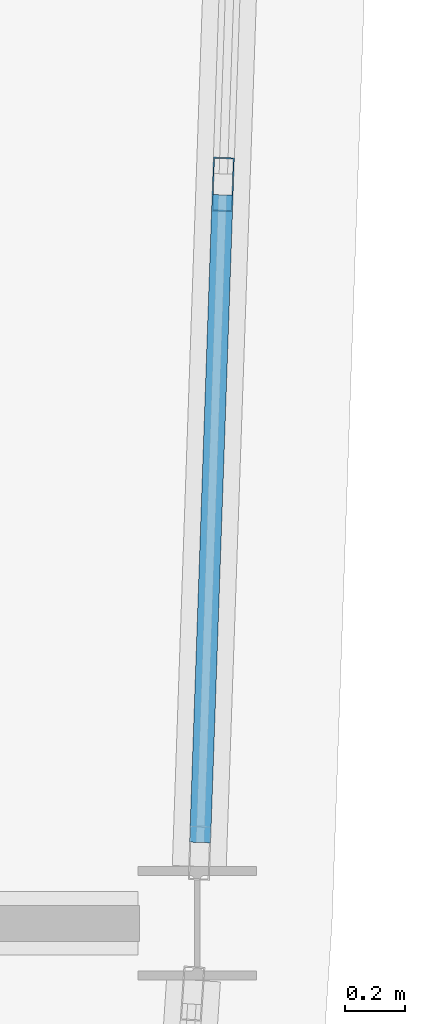
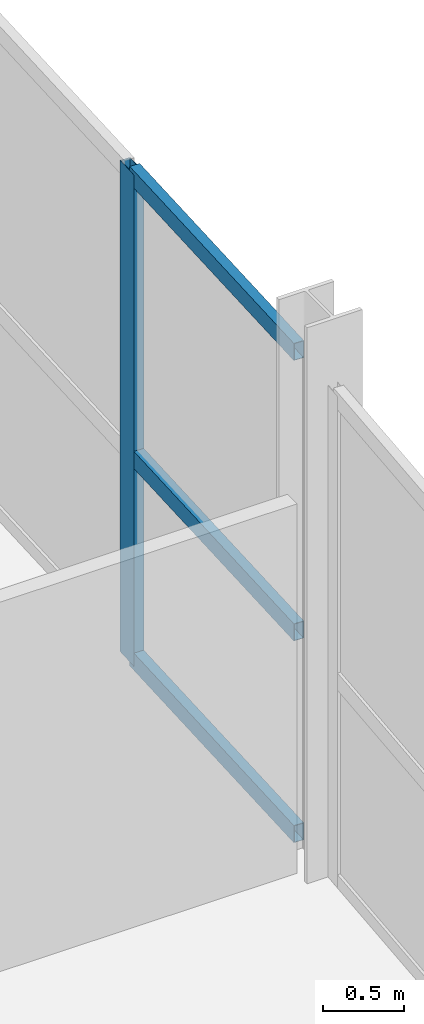
# One storey, part 7 of 36: 4 members, 1 element without a shape of its own.
"""IFC4 building model written with IfcOpenShell, lengths in metres."""

from ifc_helpers import new_model, si_unit, direction, frame, origin, origin_2d, place, context, subcontext, project, spatial, hollow_rectangle, extrude, material, layer, layer_set, material_profile, profile_set, type_object, element, aggregate, save


model = new_model("IFC4")

# Units and contexts
model_context = context("Model", 3, precision=1e-05, world=origin(), true_north=direction((0.0, 1.0)))
body_context = subcontext(model_context, "Body", "Model", "MODEL_VIEW")
ifc_project = project(units=[si_unit("LENGTHUNIT", "METRE"), si_unit("AREAUNIT", "SQUARE_METRE"), si_unit("VOLUMEUNIT", "CUBIC_METRE"), si_unit("PLANEANGLEUNIT", "RADIAN"), si_unit("MASSUNIT", "GRAM", prefix="KILO")], contexts=[model_context])

# Site, building, storey
site_placement = place(None, origin())
site = spatial("IfcSite", under=ifc_project, at=site_placement, CompositionType="ELEMENT")
building_placement = place(site_placement, origin())
building = spatial("IfcBuilding", under=site, at=building_placement, Name="Quillay Park Conservatory", CompositionType="ELEMENT")
storey_placement = place(building_placement, frame((0.0, 0.0, 18.300048828125)))
storey = spatial("IfcBuildingStorey", under=building, at=storey_placement, Name="L04", CompositionType="ELEMENT", Elevation=18.300048828125)

# Curtain wall, members
ifc_material_1 = material(Name="Thermally Broken Anodised Aluminium 6063-T6", Category="aluminium")
ifc_layer = layer(ifc_material_1, 0.179931640625)
ifc_layer_set = layer_set([ifc_layer], Name="UNITISED CURTAIN WALL TOWER (Thermally Broken Anodised Aluminium 6063-T6)")
curtain_wall_type = type_object("IfcCurtainWallType", Name="UNITISED CURTAIN WALL TOWER", PredefinedType="USERDEFINED", material=ifc_layer_set)
curtain_wall_placement = place(storey_placement, origin())
curtain_wall = element("IfcCurtainWall", 1, at=curtain_wall_placement, inside=storey, type_object=curtain_wall_type, Name="L04 Unitised Curtain Wall 040", ObjectType="UNITISED CURTAIN WALL", PredefinedType="USERDEFINED")
ifc_material_2 = material(Name="Thermally Broken Anodised Aluminium 6063-T6", Category="aluminium")
ifc_material_profile_1 = material_profile(ifc_material_2, hollow_rectangle(XDim=0.070068359375, YDim=0.179931640625, WallThickness=0.00390625, at=origin_2d()), Name="AL70x180x4")
ifc_profile_set_1 = profile_set([ifc_material_profile_1], Name="Thermally Broken Anodised Aluminium 6063-T6")
member_type_1 = type_object("IfcMemberType", Name="CURTAIN WALL MULLION 70 X180", PredefinedType="MULLION", material=ifc_profile_set_1)
member_1_placement = place(storey_placement, frame((29.3857421875, 80.466552734375, 0.0), z_axis=(0.0, 0.0, 1.0), x_axis=(0.999397310446, -0.034713338537, 0.0)))
member_1 = element("IfcMember", 2, at=member_1_placement, type_object=member_type_1, Name="CW-T1 mullion 3", PredefinedType="MULLION", context=body_context, shape_type="SweptSolid", body=[
    extrude(hollow_rectangle(XDim=0.070068359375, YDim=0.179931640625, WallThickness=0.00390625, at=origin_2d()), origin(), (0.0, 0.0, 1.0), 3.7119140625),
])
ifc_material_3 = material(Name="Thermally Broken Anodised Aluminium 6063-T6", Category="aluminium")
ifc_material_profile_2 = material_profile(ifc_material_3, hollow_rectangle(XDim=0.070068359375, YDim=0.1298828125, WallThickness=0.003173828125, at=origin_2d()), Name="AL70x130x3.2")
ifc_profile_set_2 = profile_set([ifc_material_profile_2], Name="Thermally Broken Anodised Aluminium 6063-T6")
member_type_2 = type_object("IfcMemberType", Name="CURTAIN WALL TRANSOM 70 X130", PredefinedType="USERDEFINED", material=ifc_profile_set_2)
member_2_placement = place(storey_placement, frame((29.384521484375, 80.431640625, 0.034912109375), z_axis=(-0.034761587249, -0.999395633396, 0.0), x_axis=(0.999395633396, -0.034761587249, 0.0)))
member_2 = element("IfcMember", 3, at=member_2_placement, type_object=member_type_2, Name="CW-T1 transom 3.1", ObjectType="TRANSOM", PredefinedType="USERDEFINED", context=body_context, shape_type="SweptSolid", body=[
    extrude(hollow_rectangle(XDim=0.070068359375, YDim=0.1298828125, WallThickness=0.003173828125, at=origin_2d()), origin(), (0.0, 0.0, 1.0), 2.1630859375),
])
member_3_placement = place(storey_placement, frame((29.384521484375, 80.431640625, 1.558837890625), z_axis=(-0.034761587249, -0.999395633396, 0.0), x_axis=(0.999395633396, -0.034761587249, 0.0)))
member_3 = element("IfcMember", 4, at=member_3_placement, type_object=member_type_2, Name="CW-T1 transom 3.2", ObjectType="TRANSOM", PredefinedType="USERDEFINED", context=body_context, shape_type="SweptSolid", body=[
    extrude(hollow_rectangle(XDim=0.070068359375, YDim=0.1298828125, WallThickness=0.003173828125, at=origin_2d()), origin(), (0.0, 0.0, 1.0), 2.1630859375),
])
member_4_placement = place(storey_placement, frame((29.384521484375, 80.431640625, 3.677001953125), z_axis=(-0.034761587249, -0.999395633396, 0.0), x_axis=(0.999395633396, -0.034761587249, 0.0)))
member_4 = element("IfcMember", 5, at=member_4_placement, type_object=member_type_2, Name="CW-T1 transom 3.3", ObjectType="TRANSOM", PredefinedType="USERDEFINED", context=body_context, shape_type="SweptSolid", body=[
    extrude(hollow_rectangle(XDim=0.070068359375, YDim=0.1298828125, WallThickness=0.003173828125, at=origin_2d()), origin(), (0.0, 0.0, 1.0), 2.1630859375),
])
aggregate(curtain_wall, [member_1, member_2, member_3, member_4])

save(model, "model.ifc")
